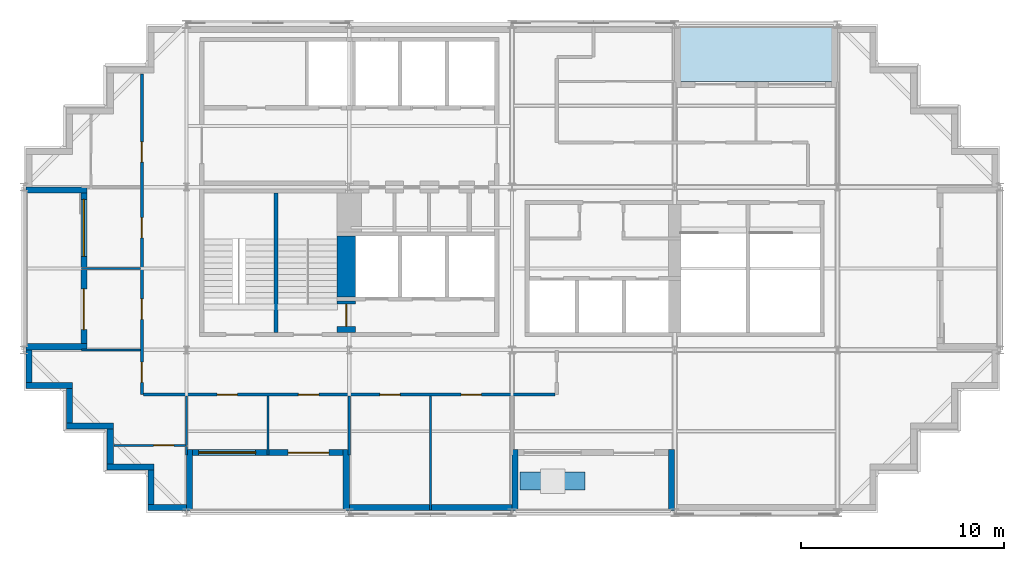
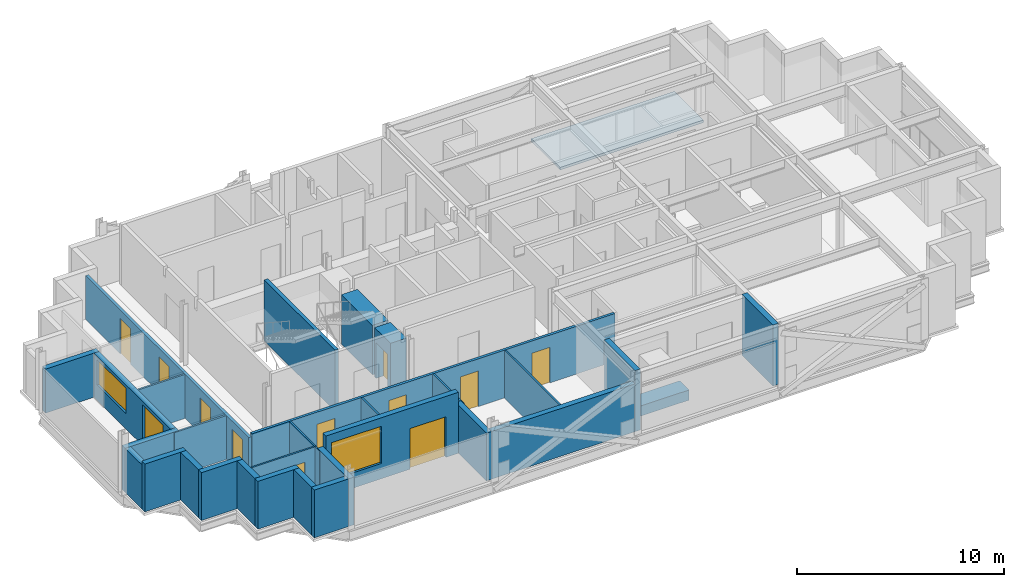
# One storey, part 4 of 10: 31 walls, 12 doors, 2 windows, 1 slab, 14 openings.
"""IFC4 building model written with IfcOpenShell, lengths in metres."""

from ifc_helpers import new_model, si_unit, direction, frame, frame_2d, origin, place, context, subcontext, project, spatial, polyline, rectangle, outline, extrude, material, layer, layer_set, type_object, element, fill, save


model = new_model("IFC4")

# Units and contexts
model_context = context("Model", 3, precision=1e-05, world=origin(), true_north=direction((0.0, 1.0)))
body_context = subcontext(model_context, "Body", "Model", "MODEL_VIEW")
ifc_project = project(units=[si_unit("LENGTHUNIT", "METRE"), si_unit("AREAUNIT", "SQUARE_METRE"), si_unit("VOLUMEUNIT", "CUBIC_METRE"), si_unit("PLANEANGLEUNIT", "RADIAN"), si_unit("MASSUNIT", "GRAM", prefix="KILO")], contexts=[model_context])

# Site, building, storey
site_placement = place(None, origin())
site = spatial("IfcSite", under=ifc_project, at=site_placement, CompositionType="ELEMENT")
building_placement = place(site_placement, origin())
building = spatial("IfcBuilding", under=site, at=building_placement, Name="Immortelle Media Tower", CompositionType="ELEMENT")
storey_placement = place(building_placement, frame((0.0, 0.0, 295.0)))
storey = spatial("IfcBuildingStorey", under=building, at=storey_placement, Name="L65", CompositionType="ELEMENT", Elevation=295.0)

# Slab
ifc_material_1 = material(Name="Concrete C50/60 composite deck", Category="concrete")
ifc_layer_1 = layer(ifc_material_1, 0.14990234375)
ifc_layer_set_1 = layer_set([ifc_layer_1], Name="Concrete C50/60 composite deck")
slab_type = type_object("IfcSlabType", Name="Balcony slab 150", PredefinedType="FLOOR", material=ifc_layer_set_1)
slab_placement = place(storey_placement, frame((0.0, 0.0, -0.14990234375)))
element("IfcSlab", 1, at=slab_placement, inside=storey, type_object=slab_type, Name="Balcony slab L65 N0", PredefinedType="FLOOR", context=body_context, shape_type="SweptSolid", body=[
    extrude(outline(polyline([(40.0, 21.199951171875), (40.0, 24.0), (32.0, 24.0), (32.0, 21.199951171875), (40.0, 21.199951171875)])), origin(), (0.0, 0.0, 1.0), 0.14990234375),
])

# Wall, openings, doors
ifc_material_2 = material(Name="Fire-rated gypsum board", Category="gypsum")
ifc_layer_2 = layer(ifc_material_2, 0.012451171875)
ifc_material_3 = material(Name="Steel ASTM A653 SS Gr 50 stud frame with mineral wool", Category="steel")
ifc_layer_3 = layer(ifc_material_3, 0.125)
ifc_layer_4 = layer(ifc_material_2, 0.012451171875)
ifc_layer_set_2 = layer_set([ifc_layer_2, ifc_layer_3, ifc_layer_4], Name="Steel ASTM A653 SS Gr 50 stud frame with mineral wool")
wall_type_1 = type_object("IfcWallType", Name="Corridor wall 150", PredefinedType="PARTITIONING", material=ifc_layer_set_2)
wall_1_placement = place(storey_placement, frame((5.875, 5.800048828125, 0.0), z_axis=(0.0, 0.0, 1.0), x_axis=(1.0, 0.0, 0.0)))
wall_1 = element("IfcWall", 2, at=wall_1_placement, inside=storey, type_object=wall_type_1, Name="Partition L65-008", PredefinedType="PARTITIONING", context=body_context, shape_type="SweptSolid", body=[
    extrude(rectangle(XDim=20.25, YDim=0.14990234375, at=frame_2d((10.125, 0.0))), origin(), (0.0, 0.0, 1.0), 2.81396484375),
])
opening_1_placement = place(wall_1_placement, frame((12.625, 0.0, 0.0), z_axis=(0.0, 0.0, 1.0), x_axis=(-1.0, 0.0, 0.0)))
opening_1 = element("IfcOpeningElement", 3, at=opening_1_placement, cuts=wall_1, Name="Opening X6-F001", PredefinedType="OPENING", context=body_context, shape_type="SweptSolid", body=[
    extrude(rectangle(XDim=1.0, YDim=2.10009765625, at=frame_2d((0.5, 1.050048828125))), frame((0.0, 0.0849609375, 0.0), z_axis=(0.0, -1.0, 0.0), x_axis=(1.0, 0.0, 0.0)), (0.0, 0.0, 1.0), 0.169921875),
])
opening_2_placement = place(wall_1_placement, frame((16.625, 0.0, 0.0), z_axis=(0.0, 0.0, 1.0), x_axis=(-1.0, 0.0, 0.0)))
opening_2 = element("IfcOpeningElement", 4, at=opening_2_placement, cuts=wall_1, Name="Opening X6-F002", PredefinedType="OPENING", context=body_context, shape_type="SweptSolid", body=[
    extrude(rectangle(XDim=1.0, YDim=2.10009765625, at=frame_2d((0.5, 1.050048828125))), frame((0.0, 0.0849609375, 0.0), z_axis=(0.0, -1.0, 0.0), x_axis=(1.0, 0.0, 0.0)), (0.0, 0.0, 1.0), 0.169921875),
])
opening_3_placement = place(wall_1_placement, frame((4.625, 0.0, 0.0), z_axis=(0.0, 0.0, 1.0), x_axis=(-1.0, 0.0, 0.0)))
opening_3 = element("IfcOpeningElement", 5, at=opening_3_placement, cuts=wall_1, Name="Opening X6-F003", PredefinedType="OPENING", context=body_context, shape_type="SweptSolid", body=[
    extrude(rectangle(XDim=1.0, YDim=2.10009765625, at=frame_2d((0.5, 1.050048828125))), frame((0.0, 0.0849609375, 0.0), z_axis=(0.0, -1.0, 0.0), x_axis=(1.0, 0.0, 0.0)), (0.0, 0.0, 1.0), 0.169921875),
])
opening_4_placement = place(wall_1_placement, frame((8.625, 0.0, 0.0), z_axis=(0.0, 0.0, 1.0), x_axis=(-1.0, 0.0, 0.0)))
opening_4 = element("IfcOpeningElement", 6, at=opening_4_placement, cuts=wall_1, Name="Opening X6-F004", PredefinedType="OPENING", context=body_context, shape_type="SweptSolid", body=[
    extrude(rectangle(XDim=1.0, YDim=2.10009765625, at=frame_2d((0.5, 1.050048828125))), frame((0.0, 0.0849609375, 0.0), z_axis=(0.0, -1.0, 0.0), x_axis=(1.0, 0.0, 0.0)), (0.0, 0.0, 1.0), 0.169921875),
])
ifc_material_4 = material(Name="Timber veneered door leaf, galvanised steel frame ASTM A653", Category="steel")
door_type_1 = type_object("IfcDoorType", Name="Room door 1000 x 2100", OperationType="NOTDEFINED", PredefinedType="DOOR", material=ifc_material_4)
door_1_placement = place(opening_1_placement, origin())
door_1 = element("IfcDoor", 7, at=door_1_placement, inside=storey, type_object=door_type_1, Name="Door X6-F001", OperationType="SINGLE_SWING_RIGHT", OverallHeight=2.10009765625, OverallWidth=1.0, PredefinedType="DOOR", context=body_context, shape_type="SweptSolid", body=[
    extrude(rectangle(XDim=1.0, YDim=2.10009765625, at=frame_2d((0.5, 1.050048828125))), frame((0.0, 0.02490234375, 0.0), z_axis=(0.0, -1.0, 0.0), x_axis=(1.0, 0.0, 0.0)), (0.0, 0.0, 1.0), 0.050048828125),
])
fill(opening_1, door_1)
door_2_placement = place(opening_2_placement, origin())
door_2 = element("IfcDoor", 8, at=door_2_placement, inside=storey, type_object=door_type_1, Name="Door X6-F002", OperationType="SINGLE_SWING_LEFT", OverallHeight=2.10009765625, OverallWidth=1.0, PredefinedType="DOOR", context=body_context, shape_type="SweptSolid", body=[
    extrude(rectangle(XDim=1.0, YDim=2.10009765625, at=frame_2d((0.5, 1.050048828125))), frame((0.0, 0.02490234375, 0.0), z_axis=(0.0, -1.0, 0.0), x_axis=(1.0, 0.0, 0.0)), (0.0, 0.0, 1.0), 0.050048828125),
])
fill(opening_2, door_2)
door_3_placement = place(opening_3_placement, origin())
door_3 = element("IfcDoor", 9, at=door_3_placement, inside=storey, type_object=door_type_1, Name="Door X6-F003", OperationType="SINGLE_SWING_LEFT", OverallHeight=2.10009765625, OverallWidth=1.0, PredefinedType="DOOR", context=body_context, shape_type="SweptSolid", body=[
    extrude(rectangle(XDim=1.0, YDim=2.10009765625, at=frame_2d((0.5, 1.050048828125))), frame((0.0, 0.02490234375, 0.0), z_axis=(0.0, -1.0, 0.0), x_axis=(1.0, 0.0, 0.0)), (0.0, 0.0, 1.0), 0.050048828125),
])
fill(opening_3, door_3)
door_4_placement = place(opening_4_placement, origin())
door_4 = element("IfcDoor", 10, at=door_4_placement, inside=storey, type_object=door_type_1, Name="Door X6-F004", OperationType="SINGLE_SWING_LEFT", OverallHeight=2.10009765625, OverallWidth=1.0, PredefinedType="DOOR", context=body_context, shape_type="SweptSolid", body=[
    extrude(rectangle(XDim=1.0, YDim=2.10009765625, at=frame_2d((0.5, 1.050048828125))), frame((0.0, 0.02490234375, 0.0), z_axis=(0.0, -1.0, 0.0), x_axis=(1.0, 0.0, 0.0)), (0.0, 0.0, 1.0), 0.050048828125),
])
fill(opening_4, door_4)

wall_2_placement = place(storey_placement, frame((5.800048828125, 5.800048828125, 0.0), z_axis=(0.0, 0.0, 1.0), x_axis=(0.0, 1.0, 0.0)))
wall_2 = element("IfcWall", 11, at=wall_2_placement, inside=storey, type_object=wall_type_1, Name="Partition L65-009", PredefinedType="PARTITIONING", context=body_context, shape_type="SweptSolid", body=[
    extrude(rectangle(XDim=15.77001953125, YDim=0.14990234375, at=frame_2d((7.885009765625, 0.0))), origin(), (0.0, 0.0, 1.0), 2.593994140625),
])
opening_5_placement = place(wall_2_placement, frame((0.60009765625, 0.0, 0.0)))
opening_5 = element("IfcOpeningElement", 12, at=opening_5_placement, cuts=wall_2, Name="Opening X6-F005", PredefinedType="OPENING", context=body_context, shape_type="SweptSolid", body=[
    extrude(rectangle(XDim=1.0, YDim=2.10009765625, at=frame_2d((0.5, 1.050048828125))), frame((0.0, 0.0849609375, 0.0), z_axis=(0.0, -1.0, 0.0), x_axis=(1.0, 0.0, 0.0)), (0.0, 0.0, 1.0), 0.169921875),
])
opening_6_placement = place(wall_2_placement, frame((3.699951171875, 0.0, 0.0)))
opening_6 = element("IfcOpeningElement", 13, at=opening_6_placement, cuts=wall_2, Name="Opening X6-F008", PredefinedType="OPENING", context=body_context, shape_type="SweptSolid", body=[
    extrude(rectangle(XDim=1.0, YDim=2.10009765625, at=frame_2d((0.5, 1.050048828125))), frame((0.0, 0.0849609375, 0.0), z_axis=(0.0, -1.0, 0.0), x_axis=(1.0, 0.0, 0.0)), (0.0, 0.0, 1.0), 0.169921875),
])
opening_7_placement = place(wall_2_placement, frame((7.699951171875, 0.0, 0.0)))
opening_7 = element("IfcOpeningElement", 14, at=opening_7_placement, cuts=wall_2, Name="Opening X6-F009", PredefinedType="OPENING", context=body_context, shape_type="SweptSolid", body=[
    extrude(rectangle(XDim=1.0, YDim=2.10009765625, at=frame_2d((0.5, 1.050048828125))), frame((0.0, 0.0849609375, 0.0), z_axis=(0.0, -1.0, 0.0), x_axis=(1.0, 0.0, 0.0)), (0.0, 0.0, 1.0), 0.169921875),
])
opening_8_placement = place(wall_2_placement, frame((11.425048828125, 0.0, 0.0)))
opening_8 = element("IfcOpeningElement", 15, at=opening_8_placement, cuts=wall_2, Name="Opening X6-F010", PredefinedType="OPENING", context=body_context, shape_type="SweptSolid", body=[
    extrude(rectangle(XDim=1.0, YDim=2.10009765625, at=frame_2d((0.5, 1.050048828125))), frame((0.0, 0.0849609375, 0.0), z_axis=(0.0, -1.0, 0.0), x_axis=(1.0, 0.0, 0.0)), (0.0, 0.0, 1.0), 0.169921875),
])
door_5_placement = place(opening_5_placement, origin())
door_5 = element("IfcDoor", 16, at=door_5_placement, inside=storey, type_object=door_type_1, Name="Door X6-F005", OperationType="SINGLE_SWING_RIGHT", OverallHeight=2.10009765625, OverallWidth=1.0, PredefinedType="DOOR", context=body_context, shape_type="SweptSolid", body=[
    extrude(rectangle(XDim=1.0, YDim=2.10009765625, at=frame_2d((0.5, 1.050048828125))), frame((0.0, 0.02490234375, 0.0), z_axis=(0.0, -1.0, 0.0), x_axis=(1.0, 0.0, 0.0)), (0.0, 0.0, 1.0), 0.050048828125),
])
fill(opening_5, door_5)
door_6_placement = place(opening_6_placement, origin())
door_6 = element("IfcDoor", 17, at=door_6_placement, inside=storey, type_object=door_type_1, Name="Door X6-F008", OperationType="SINGLE_SWING_RIGHT", OverallHeight=2.10009765625, OverallWidth=1.0, PredefinedType="DOOR", context=body_context, shape_type="SweptSolid", body=[
    extrude(rectangle(XDim=1.0, YDim=2.10009765625, at=frame_2d((0.5, 1.050048828125))), frame((0.0, 0.02490234375, 0.0), z_axis=(0.0, -1.0, 0.0), x_axis=(1.0, 0.0, 0.0)), (0.0, 0.0, 1.0), 0.050048828125),
])
fill(opening_6, door_6)
door_7_placement = place(opening_7_placement, origin())
door_7 = element("IfcDoor", 18, at=door_7_placement, inside=storey, type_object=door_type_1, Name="Door X6-F009", OperationType="SINGLE_SWING_RIGHT", OverallHeight=2.10009765625, OverallWidth=1.0, PredefinedType="DOOR", context=body_context, shape_type="SweptSolid", body=[
    extrude(rectangle(XDim=1.0, YDim=2.10009765625, at=frame_2d((0.5, 1.050048828125))), frame((0.0, 0.02490234375, 0.0), z_axis=(0.0, -1.0, 0.0), x_axis=(1.0, 0.0, 0.0)), (0.0, 0.0, 1.0), 0.050048828125),
])
fill(opening_7, door_7)
door_8_placement = place(opening_8_placement, origin())
door_8 = element("IfcDoor", 19, at=door_8_placement, inside=storey, type_object=door_type_1, Name="Door X6-F010", OperationType="SINGLE_SWING_LEFT", OverallHeight=2.10009765625, OverallWidth=1.0, PredefinedType="DOOR", context=body_context, shape_type="SweptSolid", body=[
    extrude(rectangle(XDim=1.0, YDim=2.10009765625, at=frame_2d((0.5, 1.050048828125))), frame((0.0, 0.02490234375, 0.0), z_axis=(0.0, -1.0, 0.0), x_axis=(1.0, 0.0, 0.0)), (0.0, 0.0, 1.0), 0.050048828125),
])
fill(opening_8, door_8)

# Walls
ifc_material_5 = material(Name="Pale aluminium cladding panel", Category="aluminium")
ifc_layer_5 = layer(ifc_material_5, 0.030029296875)
ifc_layer_6 = layer(ifc_material_3, 0.257568359375)
ifc_material_6 = material(Name="Moisture-resistant gypsum board", Category="gypsum")
ifc_layer_7 = layer(ifc_material_6, 0.012451171875)
ifc_layer_set_3 = layer_set([ifc_layer_5, ifc_layer_6, ifc_layer_7], Name="Steel ASTM A653 SS Gr 50 stud frame with mineral wool")
wall_type_2 = type_object("IfcWallType", Name="Facade wall 300", PredefinedType="SOLIDWALL", material=ifc_layer_set_3)
wall_3_placement = place(storey_placement, frame((0.10009765625, 6.25, 0.0), z_axis=(0.0, 0.0, 1.0), x_axis=(1.0, 0.0, 0.0)))
element("IfcWall", 20, at=wall_3_placement, inside=storey, type_object=wall_type_2, Name="Facade wall L65 S0", PredefinedType="SOLIDWALL", context=body_context, shape_type="SweptSolid", body=[
    extrude(rectangle(XDim=2.2998046875, YDim=0.300048828125, at=frame_2d((1.14990234375, 0.0))), origin(), (0.0, 0.0, 1.0), 2.819091796875),
])
wall_4_placement = place(storey_placement, frame((2.25, 6.10009765625, 0.0), z_axis=(0.0, 0.0, 1.0), x_axis=(0.0, -1.0, 0.0)))
element("IfcWall", 21, at=wall_4_placement, inside=storey, type_object=wall_type_2, Name="Facade wall L65 W1", PredefinedType="SOLIDWALL", context=body_context, shape_type="SweptSolid", body=[
    extrude(rectangle(XDim=1.7001953125, YDim=0.300048828125, at=frame_2d((0.85009765625, 0.0))), origin(), (0.0, 0.0, 1.0), 2.819091796875),
])
wall_5_placement = place(storey_placement, frame((2.10009765625, 4.25, 0.0), z_axis=(0.0, 0.0, 1.0), x_axis=(1.0, 0.0, 0.0)))
element("IfcWall", 22, at=wall_5_placement, inside=storey, type_object=wall_type_2, Name="Facade wall L65 S2", PredefinedType="SOLIDWALL", context=body_context, shape_type="SweptSolid", body=[
    extrude(rectangle(XDim=2.2998046875, YDim=0.300048828125, at=frame_2d((1.14990234375, 0.0))), origin(), (0.0, 0.0, 1.0), 2.819091796875),
])
wall_6_placement = place(storey_placement, frame((4.25, 4.10009765625, 0.0), z_axis=(0.0, 0.0, 1.0), x_axis=(0.0, -1.0, 0.0)))
element("IfcWall", 23, at=wall_6_placement, inside=storey, type_object=wall_type_2, Name="Facade wall L65 W3", PredefinedType="SOLIDWALL", context=body_context, shape_type="SweptSolid", body=[
    extrude(rectangle(XDim=1.7001953125, YDim=0.300048828125, at=frame_2d((0.85009765625, 0.0))), origin(), (0.0, 0.0, 1.0), 2.819091796875),
])
wall_7_placement = place(storey_placement, frame((4.10009765625, 2.25, 0.0), z_axis=(0.0, 0.0, 1.0), x_axis=(1.0, 0.0, 0.0)))
element("IfcWall", 24, at=wall_7_placement, inside=storey, type_object=wall_type_2, Name="Facade wall L65 S4", PredefinedType="SOLIDWALL", context=body_context, shape_type="SweptSolid", body=[
    extrude(rectangle(XDim=2.2998046875, YDim=0.300048828125, at=frame_2d((1.14990234375, 0.0))), origin(), (0.0, 0.0, 1.0), 2.819091796875),
])
wall_8_placement = place(storey_placement, frame((6.25, 2.10009765625, 0.0), z_axis=(0.0, 0.0, 1.0), x_axis=(0.0, -1.0, 0.0)))
element("IfcWall", 25, at=wall_8_placement, inside=storey, type_object=wall_type_2, Name="Facade wall L65 W5", PredefinedType="SOLIDWALL", context=body_context, shape_type="SweptSolid", body=[
    extrude(rectangle(XDim=1.7001953125, YDim=0.300048828125, at=frame_2d((0.85009765625, 0.0))), origin(), (0.0, 0.0, 1.0), 2.819091796875),
])
wall_9_placement = place(storey_placement, frame((6.10009765625, 0.25, 0.0), z_axis=(0.0, 0.0, 1.0), x_axis=(1.0, 0.0, 0.0)))
element("IfcWall", 26, at=wall_9_placement, inside=storey, type_object=wall_type_2, Name="Facade wall L65 S6", PredefinedType="SOLIDWALL", context=body_context, shape_type="SweptSolid", body=[
    extrude(rectangle(XDim=1.89990234375, YDim=0.300048828125, at=frame_2d((0.949951171875, 0.0))), origin(), (0.0, 0.0, 1.0), 2.819091796875),
])

# Wall, openings, door, window
wall_10_placement = place(storey_placement, frame((8.300048828125, 2.949951171875, 0.0), z_axis=(0.0, 0.0, 1.0), x_axis=(1.0, 0.0, 0.0)))
wall_10 = element("IfcWall", 27, at=wall_10_placement, inside=storey, type_object=wall_type_2, Name="Loggia wall L65 S6", PredefinedType="SOLIDWALL", context=body_context, shape_type="SweptSolid", body=[
    extrude(rectangle(XDim=7.39990234375, YDim=0.300048828125, at=frame_2d((3.699951171875, 0.0))), origin(), (0.0, 0.0, 1.0), 3.60009765625),
])
opening_9_placement = place(wall_10_placement, frame((0.300048828125, 0.0, 0.89990234375)))
opening_9 = element("IfcOpeningElement", 28, at=opening_9_placement, cuts=wall_10, Name="Opening W1", PredefinedType="OPENING", context=body_context, shape_type="SweptSolid", body=[
    extrude(rectangle(XDim=2.800048828125, YDim=2.199951171875, at=frame_2d((1.39990234375, 1.10009765625))), frame((0.0, 0.159912109375, 0.0), z_axis=(0.0, -1.0, 0.0), x_axis=(1.0, 0.0, 0.0)), (0.0, 0.0, 1.0), 0.320068359375),
])
opening_10_placement = place(wall_10_placement, frame((4.699951171875, 0.0, 0.0)))
opening_10 = element("IfcOpeningElement", 29, at=opening_10_placement, cuts=wall_10, Name="Opening X6-E001", PredefinedType="OPENING", context=body_context, shape_type="SweptSolid", body=[
    extrude(rectangle(XDim=2.0, YDim=2.39990234375, at=frame_2d((1.0, 1.199951171875))), frame((0.0, 0.159912109375, 0.0), z_axis=(0.0, -1.0, 0.0), x_axis=(1.0, 0.0, 0.0)), (0.0, 0.0, 1.0), 0.320068359375),
])
ifc_material_7 = material(Name="Aluminium frame, glazed leaves", Category="aluminium")
door_type_2 = type_object("IfcDoorType", Name="Loggia door 2000 x 2400", OperationType="DOUBLE_DOOR_SINGLE_SWING", PredefinedType="DOOR", material=ifc_material_7)
door_9_placement = place(opening_10_placement, origin())
door_9 = element("IfcDoor", 30, at=door_9_placement, inside=storey, type_object=door_type_2, Name="Door X6-E001", OperationType="DOUBLE_DOOR_SINGLE_SWING", OverallHeight=2.39990234375, OverallWidth=2.0, PredefinedType="DOOR", context=body_context, shape_type="SweptSolid", body=[
    extrude(rectangle(XDim=2.0, YDim=2.39990234375, at=frame_2d((1.0, 1.199951171875))), frame((0.0, 0.02490234375, 0.0), z_axis=(0.0, -1.0, 0.0), x_axis=(1.0, 0.0, 0.0)), (0.0, 0.0, 1.0), 0.050048828125),
])
fill(opening_10, door_9)
ifc_material_8 = material(Name="Aluminium frame", Category="aluminium")
window_type_1 = type_object("IfcWindowType", Name="Window 2800 x 2200", PartitioningType="SINGLE_PANEL", PredefinedType="WINDOW", material=ifc_material_8)
window_1_placement = place(opening_9_placement, origin())
window_1 = element("IfcWindow", 31, at=window_1_placement, inside=storey, type_object=window_type_1, Name="Window L65 L65-R6-B0", OverallHeight=2.199951171875, OverallWidth=2.800048828125, PartitioningType="SINGLE_PANEL", PredefinedType="WINDOW", context=body_context, shape_type="SweptSolid", body=[
    extrude(rectangle(XDim=2.800048828125, YDim=2.199951171875, at=frame_2d((1.39990234375, 1.10009765625))), frame((0.0, 0.030029296875, 0.0), z_axis=(0.0, -1.0, 0.0), x_axis=(1.0, 0.0, 0.0)), (0.0, 0.0, 1.0), 0.06005859375),
])
fill(opening_9, window_1)

# Walls
for number, where, z_axis, x_axis, name in (
    (32, (8.14990234375, 0.10009765625, 0.0), (0.0, 0.0, 1.0), (0.0, 1.0, 0.0), "Loggia cheek wall L65 S"),
    (33, (15.85009765625, 0.10009765625, 0.0), (0.0, 0.0, 1.0), (0.0, 1.0, 0.0), "Loggia cheek wall L65 S"),
):
    element("IfcWall", number, at=place(storey_placement, frame(where, z_axis=z_axis, x_axis=x_axis)), inside=storey, type_object=wall_type_2, Name=name, PredefinedType="SOLIDWALL", context=body_context, shape_type="SweptSolid", body=[
        extrude(rectangle(XDim=3.0, YDim=0.300048828125, at=frame_2d((1.5, 0.0))), origin(), (0.0, 0.0, 1.0), 2.819091796875),
    ])
wall_11_placement = place(storey_placement, frame((16.0, 0.25, 0.0), z_axis=(0.0, 0.0, 1.0), x_axis=(1.0, 0.0, 0.0)))
element("IfcWall", 34, at=wall_11_placement, inside=storey, type_object=wall_type_2, Name="Facade wall L65 S6", PredefinedType="SOLIDWALL", context=body_context, shape_type="SweptSolid", body=[
    extrude(rectangle(XDim=8.0, YDim=0.300048828125, at=frame_2d((4.0, 0.0))), origin(), (0.0, 0.0, 1.0), 2.819091796875),
])
for number, where, z_axis, x_axis, name in (
    (35, (24.14990234375, 0.10009765625, 0.0), (0.0, 0.0, 1.0), (0.0, 1.0, 0.0), "Loggia cheek wall L65 S"),
    (36, (31.85009765625, 0.10009765625, 0.0), (0.0, 0.0, 1.0), (0.0, 1.0, 0.0), "Loggia cheek wall L65 S"),
):
    element("IfcWall", number, at=place(storey_placement, frame(where, z_axis=z_axis, x_axis=x_axis)), inside=storey, type_object=wall_type_2, Name=name, PredefinedType="SOLIDWALL", context=body_context, shape_type="SweptSolid", body=[
        extrude(rectangle(XDim=3.0, YDim=0.300048828125, at=frame_2d((1.5, 0.0))), origin(), (0.0, 0.0, 1.0), 3.60009765625),
    ])

# Wall, openings, door, window
wall_12_placement = place(storey_placement, frame((2.949951171875, 15.699951171875, 0.0), z_axis=(0.0, 0.0, 1.0), x_axis=(0.0, -1.0, 0.0)))
wall_12 = element("IfcWall", 37, at=wall_12_placement, inside=storey, type_object=wall_type_2, Name="Loggia wall L65 W27", PredefinedType="SOLIDWALL", context=body_context, shape_type="SweptSolid", body=[
    extrude(rectangle(XDim=7.39990234375, YDim=0.300048828125, at=frame_2d((3.699951171875, 0.0))), origin(), (0.0, 0.0, 1.0), 2.59912109375),
])
opening_11_placement = place(wall_12_placement, frame((0.300048828125, 0.0, 0.89990234375)))
opening_11 = element("IfcOpeningElement", 38, at=opening_11_placement, cuts=wall_12, Name="Opening W13", PredefinedType="OPENING", context=body_context, shape_type="SweptSolid", body=[
    extrude(rectangle(XDim=2.800048828125, YDim=1.5, at=frame_2d((1.39990234375, 0.75))), frame((0.0, 0.159912109375, 0.0), z_axis=(0.0, -1.0, 0.0), x_axis=(1.0, 0.0, 0.0)), (0.0, 0.0, 1.0), 0.320068359375),
])
opening_12_placement = place(wall_12_placement, frame((4.699951171875, 0.0, 0.0)))
opening_12 = element("IfcOpeningElement", 39, at=opening_12_placement, cuts=wall_12, Name="Opening X6-E006", PredefinedType="OPENING", context=body_context, shape_type="SweptSolid", body=[
    extrude(rectangle(XDim=2.0, YDim=2.39990234375, at=frame_2d((1.0, 1.199951171875))), frame((0.0, 0.159912109375, 0.0), z_axis=(0.0, -1.0, 0.0), x_axis=(1.0, 0.0, 0.0)), (0.0, 0.0, 1.0), 0.320068359375),
])
door_10_placement = place(opening_12_placement, origin())
door_10 = element("IfcDoor", 40, at=door_10_placement, inside=storey, type_object=door_type_2, Name="Door X6-E006", OperationType="DOUBLE_DOOR_SINGLE_SWING", OverallHeight=2.39990234375, OverallWidth=2.0, PredefinedType="DOOR", context=body_context, shape_type="SweptSolid", body=[
    extrude(rectangle(XDim=2.0, YDim=2.39990234375, at=frame_2d((1.0, 1.199951171875))), frame((0.0, 0.02490234375, 0.0), z_axis=(0.0, -1.0, 0.0), x_axis=(1.0, 0.0, 0.0)), (0.0, 0.0, 1.0), 0.050048828125),
])
fill(opening_12, door_10)
window_type_2 = type_object("IfcWindowType", Name="Window 2800 x 1500", PartitioningType="SINGLE_PANEL", PredefinedType="WINDOW", material=ifc_material_8)
window_2_placement = place(opening_11_placement, origin())
window_2 = element("IfcWindow", 41, at=window_2_placement, inside=storey, type_object=window_type_2, Name="Window L65 L65-R27-B0", OverallHeight=1.5, OverallWidth=2.800048828125, PartitioningType="SINGLE_PANEL", PredefinedType="WINDOW", context=body_context, shape_type="SweptSolid", body=[
    extrude(rectangle(XDim=2.800048828125, YDim=1.5, at=frame_2d((1.39990234375, 0.75))), frame((0.0, 0.030029296875, 0.0), z_axis=(0.0, -1.0, 0.0), x_axis=(1.0, 0.0, 0.0)), (0.0, 0.0, 1.0), 0.06005859375),
])
fill(opening_11, window_2)

# Walls
for number, where, z_axis, x_axis, name in (
    (42, (0.10009765625, 15.85009765625, 0.0), (0.0, 0.0, 1.0), (1.0, 0.0, 0.0), "Loggia cheek wall L65 W"),
    (43, (0.10009765625, 8.14990234375, 0.0), (0.0, 0.0, 1.0), (1.0, 0.0, 0.0), "Loggia cheek wall L65 W"),
):
    element("IfcWall", number, at=place(storey_placement, frame(where, z_axis=z_axis, x_axis=x_axis)), inside=storey, type_object=wall_type_2, Name=name, PredefinedType="SOLIDWALL", context=body_context, shape_type="SweptSolid", body=[
        extrude(rectangle(XDim=3.0, YDim=0.300048828125, at=frame_2d((1.5, 0.0))), origin(), (0.0, 0.0, 1.0), 2.59912109375),
    ])
wall_13_placement = place(storey_placement, frame((0.25, 8.0, 0.0), z_axis=(0.0, 0.0, 1.0), x_axis=(0.0, -1.0, 0.0)))
element("IfcWall", 44, at=wall_13_placement, inside=storey, type_object=wall_type_2, Name="Facade wall L65 W27", PredefinedType="SOLIDWALL", context=body_context, shape_type="SweptSolid", body=[
    extrude(rectangle(XDim=1.60009765625, YDim=0.300048828125, at=frame_2d((0.800048828125, 0.0))), origin(), (0.0, 0.0, 1.0), 2.59912109375),
])
ifc_material_9 = material(Name="Gypsum board", Category="gypsum")
ifc_layer_8 = layer(ifc_material_9, 0.012451171875)
ifc_layer_9 = layer(ifc_material_3, 0.074951171875)
ifc_layer_10 = layer(ifc_material_9, 0.012451171875)
ifc_layer_set_4 = layer_set([ifc_layer_8, ifc_layer_9, ifc_layer_10], Name="Steel ASTM A653 SS Gr 50 stud frame with mineral wool")
wall_type_3 = type_object("IfcWallType", Name="Partition 100", PredefinedType="PARTITIONING", material=ifc_layer_set_4)
wall_14_placement = place(storey_placement, frame((20.0, 0.1298828125, 0.0), z_axis=(0.0, 0.0, 1.0), x_axis=(0.0, 1.0, 0.0)))
element("IfcWall", 45, at=wall_14_placement, inside=storey, type_object=wall_type_3, Name="Partition L65-001", PredefinedType="PARTITIONING", context=body_context, shape_type="SweptSolid", body=[
    extrude(rectangle(XDim=5.59521484375, YDim=0.10009765625, at=frame_2d((2.797607421875, 0.0))), origin(), (0.0, 0.0, 1.0), 2.81396484375),
])
wall_15_placement = place(storey_placement, frame((8.0, 2.830078125, 0.0), z_axis=(0.0, 0.0, 1.0), x_axis=(0.0, 1.0, 0.0)))
element("IfcWall", 46, at=wall_15_placement, inside=storey, type_object=wall_type_3, Name="Partition L65-002", PredefinedType="PARTITIONING", context=body_context, shape_type="SweptSolid", body=[
    extrude(rectangle(XDim=0.419921875, YDim=0.10009765625, at=frame_2d((0.2099609375, 0.0))), origin(), (0.0, 0.0, 1.0), 2.81396484375),
])
for number, where, z_axis, x_axis, name in (
    (47, (12.0, 2.830078125, 0.0), (0.0, 0.0, 1.0), (0.0, 1.0, 0.0), "Partition L65-003"),
    (48, (16.0, 2.830078125, 0.0), (0.0, 0.0, 1.0), (0.0, 1.0, 0.0), "Partition L65-004"),
):
    element("IfcWall", number, at=place(storey_placement, frame(where, z_axis=z_axis, x_axis=x_axis)), inside=storey, type_object=wall_type_3, Name=name, PredefinedType="PARTITIONING", context=body_context, shape_type="SweptSolid", body=[
        extrude(rectangle(XDim=2.89501953125, YDim=0.10009765625, at=frame_2d((1.447509765625, 0.0))), origin(), (0.0, 0.0, 1.0), 2.81396484375),
    ])

# Wall, opening, door
wall_16_placement = place(storey_placement, frame((4.429931640625, 3.300048828125, 0.0), z_axis=(0.0, 0.0, 1.0), x_axis=(1.0, 0.0, 0.0)))
wall_16 = element("IfcWall", 49, at=wall_16_placement, inside=storey, type_object=wall_type_3, Name="Partition L65-006", PredefinedType="PARTITIONING", context=body_context, shape_type="SweptSolid", body=[
    extrude(rectangle(XDim=3.52001953125, YDim=0.10009765625, at=frame_2d((1.760009765625, 0.0))), origin(), (0.0, 0.0, 1.0), 2.81396484375),
])
opening_13_placement = place(wall_16_placement, frame((2.949951171875, 0.0, 0.0), z_axis=(0.0, 0.0, 1.0), x_axis=(-1.0, 0.0, 0.0)))
opening_13 = element("IfcOpeningElement", 50, at=opening_13_placement, cuts=wall_16, Name="Opening X6-F006", PredefinedType="OPENING", context=body_context, shape_type="SweptSolid", body=[
    extrude(rectangle(XDim=1.0, YDim=2.10009765625, at=frame_2d((0.5, 1.050048828125))), frame((0.0, 0.06005859375, 0.0), z_axis=(0.0, -1.0, 0.0), x_axis=(1.0, 0.0, 0.0)), (0.0, 0.0, 1.0), 0.1201171875),
])
door_11_placement = place(opening_13_placement, origin())
door_11 = element("IfcDoor", 51, at=door_11_placement, inside=storey, type_object=door_type_1, Name="Door X6-F006", OperationType="SINGLE_SWING_LEFT", OverallHeight=2.10009765625, OverallWidth=1.0, PredefinedType="DOOR", context=body_context, shape_type="SweptSolid", body=[
    extrude(rectangle(XDim=1.0, YDim=2.10009765625, at=frame_2d((0.5, 1.050048828125))), frame((0.0, 0.02490234375, 0.0), z_axis=(0.0, -1.0, 0.0), x_axis=(1.0, 0.0, 0.0)), (0.0, 0.0, 1.0), 0.050048828125),
])
fill(opening_13, door_11)

# Walls
wall_17_placement = place(storey_placement, frame((8.0, 3.300048828125, 0.0), z_axis=(0.0, 0.0, 1.0), x_axis=(0.0, 1.0, 0.0)))
element("IfcWall", 52, at=wall_17_placement, inside=storey, type_object=wall_type_3, Name="Partition L65-007", PredefinedType="PARTITIONING", context=body_context, shape_type="SweptSolid", body=[
    extrude(rectangle(XDim=2.425048828125, YDim=0.10009765625, at=frame_2d((1.21240234375, 0.0))), origin(), (0.0, 0.0, 1.0), 2.81396484375),
])
for number, where, z_axis, x_axis, name in (
    (53, (2.830078125, 8.0, 0.0), (0.0, 0.0, 1.0), (1.0, 0.0, 0.0), "Partition L65-011"),
    (54, (2.830078125, 12.0, 0.0), (0.0, 0.0, 1.0), (1.0, 0.0, 0.0), "Partition L65-012"),
):
    element("IfcWall", number, at=place(storey_placement, frame(where, z_axis=z_axis, x_axis=x_axis)), inside=storey, type_object=wall_type_3, Name=name, PredefinedType="PARTITIONING", context=body_context, shape_type="SweptSolid", body=[
        extrude(rectangle(XDim=2.89501953125, YDim=0.10009765625, at=frame_2d((1.447509765625, 0.0))), origin(), (0.0, 0.0, 1.0), 2.593994140625),
    ])
ifc_layer_11 = layer(ifc_material_5, 0.0029296875)
ifc_material_10 = material(Name="Steel ASTM A572 Gr 50 planter shell", Category="steel")
ifc_layer_12 = layer(ifc_material_10, 0.011962890625)
ifc_material_11 = material(Name="Planting substrate", Category="soil")
ifc_layer_13 = layer(ifc_material_11, 0.873046875)
ifc_layer_14 = layer(ifc_material_10, 0.011962890625)
ifc_layer_set_5 = layer_set([ifc_layer_11, ifc_layer_12, ifc_layer_13, ifc_layer_14], Name="Steel ASTM A572 Gr 50 planter shell")
wall_type_4 = type_object("IfcWallType", Name="Planter wall 900", PredefinedType="SOLIDWALL", material=ifc_layer_set_5)
wall_18_placement = place(storey_placement, frame((24.39990234375, 1.550048828125, 0.0), z_axis=(0.0, 0.0, 1.0), x_axis=(1.0, 0.0, 0.0)))
element("IfcWall", 55, at=wall_18_placement, inside=storey, type_object=wall_type_4, Name="Planter L65 S2", PredefinedType="SOLIDWALL", context=body_context, shape_type="SweptSolid", body=[
    extrude(rectangle(XDim=3.2001953125, YDim=0.89990234375, at=frame_2d((1.60009765625, 0.0))), origin(), (0.0, 0.0, 1.0), 0.60009765625),
])
ifc_material_12 = material(Name="Concrete C60", Category="concrete")
ifc_layer_15 = layer(ifc_material_12, 0.199951171875)
ifc_layer_set_6 = layer_set([ifc_layer_15], Name="Concrete C60")
wall_type_5 = type_object("IfcWallType", Name="Stair shaft wall 200", PredefinedType="PARTITIONING", material=ifc_layer_set_6)
wall_19_placement = place(storey_placement, frame((12.39990234375, 8.85009765625, 0.0), z_axis=(0.0, 0.0, 1.0), x_axis=(0.0, 1.0, 0.0)))
element("IfcWall", 56, at=wall_19_placement, inside=storey, type_object=wall_type_5, Name="Stair shaft wall SW", PredefinedType="PARTITIONING", context=body_context, shape_type="SweptSolid", body=[
    extrude(rectangle(XDim=6.849853515625, YDim=0.199951171875, at=frame_2d((3.4248046875, 0.0))), origin(), (0.0, 0.0, 1.0), 3.60009765625),
])

# Wall, opening, door
ifc_layer_16 = layer(ifc_material_12, 0.89990234375)
ifc_layer_set_7 = layer_set([ifc_layer_16], Name="Concrete C60")
wall_type_6 = type_object("IfcWallType", Name="Stair shaft wall 900", PredefinedType="PARTITIONING", material=ifc_layer_set_7)
wall_20_placement = place(storey_placement, frame((15.85009765625, 8.85009765625, 0.0), z_axis=(0.0, 0.0, 1.0), x_axis=(0.0, 1.0, 0.0)))
wall_20 = element("IfcWall", 57, at=wall_20_placement, inside=storey, type_object=wall_type_6, Name="Stair shaft wall SW", PredefinedType="PARTITIONING", context=body_context, shape_type="SweptSolid", body=[
    extrude(rectangle(XDim=1.5498046875, YDim=0.89990234375, at=frame_2d((0.77490234375, 0.0))), origin(), (0.0, 0.0, 1.0), 2.916015625),
])
opening_14_placement = place(wall_20_placement, frame((0.300048828125, 0.0, 0.0)))
opening_14 = element("IfcOpeningElement", 58, at=opening_14_placement, cuts=wall_20, Name="Opening X6-K007", PredefinedType="OPENING", context=body_context, shape_type="SweptSolid", body=[
    extrude(rectangle(XDim=1.10009765625, YDim=2.10009765625, at=frame_2d((0.550048828125, 1.050048828125))), frame((0.0, 0.4599609375, 0.0), z_axis=(0.0, -1.0, 0.0), x_axis=(1.0, 0.0, 0.0)), (0.0, 0.0, 1.0), 0.919921875),
])
ifc_material_13 = material(Name="Galvanised steel door leaf and frame ASTM A653", Category="steel")
door_type_3 = type_object("IfcDoorType", Name="Stair lobby door 1100 x 2100", OperationType="NOTDEFINED", PredefinedType="NOTDEFINED", material=ifc_material_13)
door_12_placement = place(opening_14_placement, origin())
door_12 = element("IfcDoor", 59, at=door_12_placement, inside=storey, type_object=door_type_3, Name="Stair lobby X6-K007", OperationType="SINGLE_SWING_LEFT", OverallHeight=2.10009765625, OverallWidth=1.10009765625, PredefinedType="NOTDEFINED", context=body_context, shape_type="SweptSolid", body=[
    extrude(rectangle(XDim=1.10009765625, YDim=2.10009765625, at=frame_2d((0.550048828125, 1.050048828125))), frame((0.0, 0.02490234375, 0.0), z_axis=(0.0, -1.0, 0.0), x_axis=(1.0, 0.0, 0.0)), (0.0, 0.0, 1.0), 0.050048828125),
])
fill(opening_14, door_12)

# Wall
wall_21_placement = place(storey_placement, frame((15.85009765625, 10.60009765625, 0.0), z_axis=(0.0, 0.0, 1.0), x_axis=(0.0, 1.0, 0.0)))
element("IfcWall", 60, at=wall_21_placement, inside=storey, type_object=wall_type_6, Name="Stair shaft wall SW", PredefinedType="PARTITIONING", context=body_context, shape_type="SweptSolid", body=[
    extrude(rectangle(XDim=3.0, YDim=0.89990234375, at=frame_2d((1.5, 0.0))), origin(), (0.0, 0.0, 1.0), 2.916015625),
])

save(model, "model.ifc")
